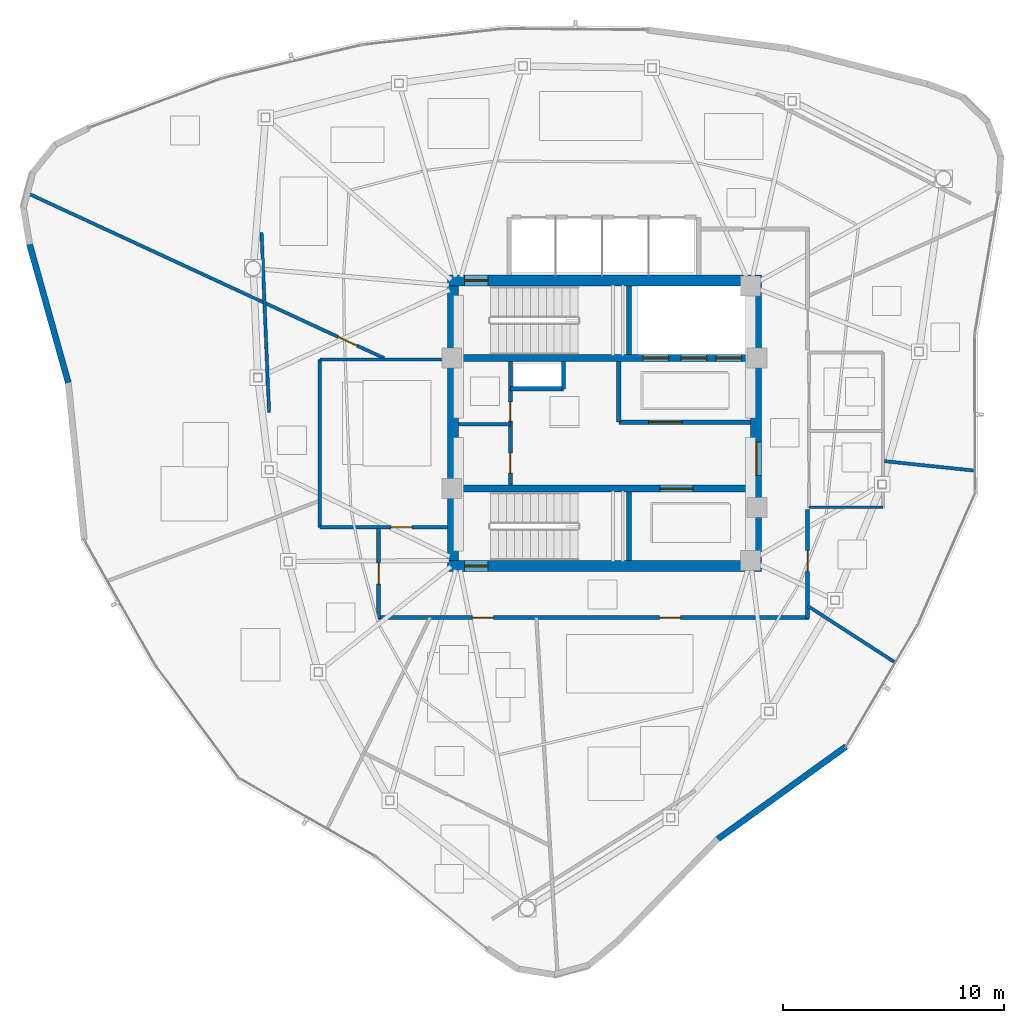
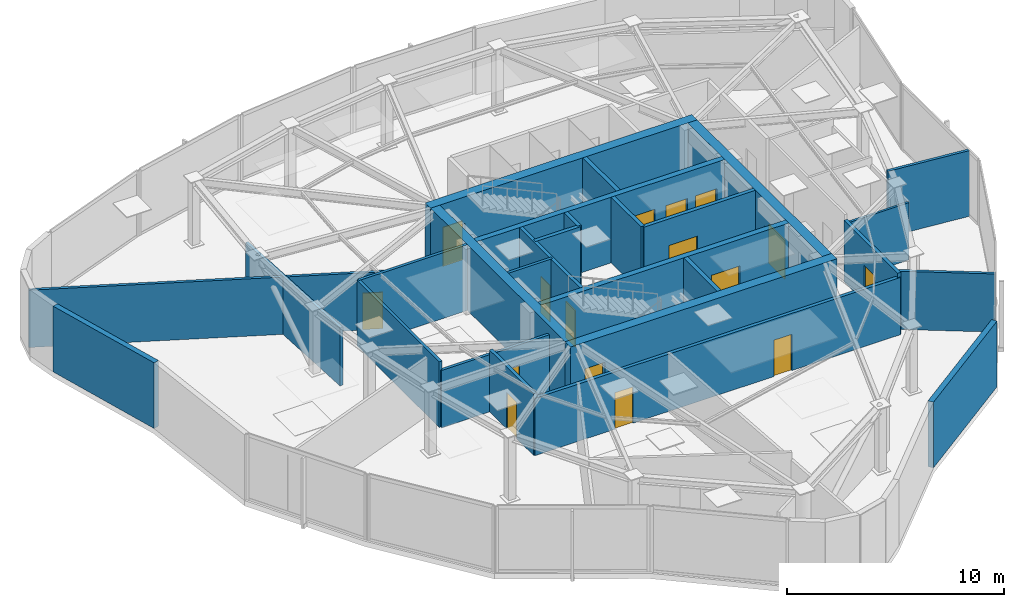
# One storey, part 8 of 11: 27 walls, 16 doors, 16 openings.
"""IFC4 building model written with IfcOpenShell, lengths in metres."""

import ifcopenshell
import ifcopenshell.guid

model = None  # the IFC model being written
_history = None  # IfcOwnerHistory: only IFC2X3 demands one
_inside = {}  # id of a spatial element -> (the spatial element, [elements in it])
_under = {}  # id of a project, library or spatial element -> (it, [spatial elements below it])
_declared = {}  # id of a project -> (the project, [libraries it declares])
_typed = {}  # id of a type object -> (the type object, [elements of that type])
_made_of = {}  # id of a material, layer set ... -> (it, [elements and type objects made of it])


def new_model(schema):
    """Start an empty IFC model of exactly this schema.

    Asked for "IFC4X3", IfcOpenShell would pick the latest addendum, in which some entities
    have other attributes; the version numbers below select the first issue.
    IFC2X3 requires an IfcOwnerHistory on every rooted entity: one is made here for all.
    """
    global model, _history
    if schema == "IFC4X3":
        model = ifcopenshell.file(schema_version=(4, 3, 0, 0))
    else:
        model = ifcopenshell.file(schema=schema)
    _inside.clear()
    _under.clear()
    _declared.clear()
    _typed.clear()
    _made_of.clear()
    _history = None
    if model.schema == "IFC2X3":
        org = make("IfcOrganization", Name="unknown")
        user = make(
            "IfcPersonAndOrganization",
            ThePerson=make("IfcPerson", FamilyName="unknown"),
            TheOrganization=org,
        )
        app = make(
            "IfcApplication",
            ApplicationDeveloper=org,
            Version="unknown",
            ApplicationFullName="unknown",
            ApplicationIdentifier="unknown",
        )
        _history = make(
            "IfcOwnerHistory",
            OwningUser=user,
            OwningApplication=app,
            ChangeAction="ADDED",
            CreationDate=0,
        )
    return model


def make(cls, **values):
    """One entity of the class cls with the attributes given. An attribute that is None is left unset."""
    return model.create_entity(
        cls, **{name: value for name, value in values.items() if value is not None}
    )


def rooted(cls, **values):
    """An entity with a GlobalId (a new one), such as an element, a storey or a relation."""
    return make(cls, GlobalId=ifcopenshell.guid.new(), OwnerHistory=_history, **values)


def si_unit(unit_type, name, prefix=None):
    """IfcSIUnit, for example si_unit("LENGTHUNIT", "METRE", prefix="MILLI")."""
    return make("IfcSIUnit", UnitType=unit_type, Prefix=prefix, Name=name)


def assignment(units):
    """IfcUnitAssignment: the units of a project."""
    return None if units is None else make("IfcUnitAssignment", Units=units)


def point(xyz):
    """IfcCartesianPoint."""
    return None if xyz is None else make("IfcCartesianPoint", Coordinates=xyz)


def direction(xyz):
    """IfcDirection."""
    return None if xyz is None else make("IfcDirection", DirectionRatios=xyz)


def frame(location, z_axis=None, x_axis=None):
    """IfcAxis2Placement3D, a coordinate frame: its origin and axes. An axis left out is left unset."""
    return make(
        "IfcAxis2Placement3D",
        Location=point(location),
        Axis=direction(z_axis),
        RefDirection=direction(x_axis),
    )


def frame_2d(location, x_axis=None):
    """IfcAxis2Placement2D, a coordinate frame in the plane: its origin and x axis."""
    return make(
        "IfcAxis2Placement2D", Location=point(location), RefDirection=direction(x_axis)
    )


def origin():
    """The frame at (0, 0, 0) with its axes left unset."""
    return frame((0.0, 0.0, 0.0))


def place(relative_to, where):
    """IfcLocalPlacement: puts the frame where relative to a parent placement (None: the world)."""
    return make(
        "IfcLocalPlacement", PlacementRelTo=relative_to, RelativePlacement=where
    )


def context(
    kind, dimensions, precision=None, world=None, true_north=None, identifier=None
):
    """IfcGeometricRepresentationContext, for example the 3D "Model" context."""
    return make(
        "IfcGeometricRepresentationContext",
        ContextIdentifier=identifier,
        ContextType=kind,
        CoordinateSpaceDimension=dimensions,
        Precision=precision,
        WorldCoordinateSystem=world,
        TrueNorth=true_north,
    )


def subcontext(parent, identifier, kind, view, scale=None):
    """IfcGeometricRepresentationSubContext, for example "Body" below "Model"."""
    return make(
        "IfcGeometricRepresentationSubContext",
        ContextIdentifier=identifier,
        ContextType=kind,
        ParentContext=parent,
        TargetScale=scale,
        TargetView=view,
    )


def project(units=None, contexts=None):
    """IfcProject with its units and contexts."""
    return rooted(
        "IfcProject",
        Name="project",
        RepresentationContexts=contexts,
        UnitsInContext=assignment(units),
    )


def spatial(cls, under=None, at=None, **own):
    """A site, building, storey or space (cls), placed at a placement, below another one or the project."""
    s = rooted(cls, ObjectPlacement=at, **own)
    if under is not None:
        _under.setdefault(under.id(), (under, []))[1].append(s)
    return s


def profile(cls, at=None, kind="AREA", **sizes):
    """A parametric profile (cls). Its sizes go by their IFC names, for example OverallWidth=200.0."""
    return make(cls, ProfileType=kind, Position=at, **sizes)


def rectangle(**sizes):
    """IfcRectangleProfileDef."""
    return profile("IfcRectangleProfileDef", **sizes)


def extrude(swept, where, along, depth):
    """IfcExtrudedAreaSolid: the profile swept, set in the frame where, extruded along a direction by depth."""
    return make(
        "IfcExtrudedAreaSolid",
        SweptArea=swept,
        Position=where,
        ExtrudedDirection=direction(along),
        Depth=depth,
    )


def shape(context_of_items, identifier, shape_type, items):
    """IfcShapeRepresentation: the items that make up one representation, for example the "Body"."""
    return make(
        "IfcShapeRepresentation",
        ContextOfItems=context_of_items,
        RepresentationIdentifier=identifier,
        RepresentationType=shape_type,
        Items=items,
    )


def material(Name=None, Category=None):
    """IfcMaterial."""
    return make("IfcMaterial", Name=Name, Category=Category)


def layer(
    of_material, thickness, ventilated=None, Name=None, Category=None, Priority=None
):
    """IfcMaterialLayer: one layer of a wall or slab, of a material (None: an air gap)."""
    return make(
        "IfcMaterialLayer",
        Material=of_material,
        LayerThickness=thickness,
        IsVentilated=ventilated,
        Name=Name,
        Category=Category,
        Priority=Priority,
    )


def layer_set(layers, Name=None):
    """IfcMaterialLayerSet."""
    return make("IfcMaterialLayerSet", MaterialLayers=layers, LayerSetName=Name)


def made_of(thing, what):
    """Note that an element or type object is made of a material, layer set ...; save() writes the relation."""
    if what is not None:
        _made_of.setdefault(what.id(), (what, []))[1].append(thing)
    return thing


def type_object(cls, material=None, **own):
    """A type object (cls), such as IfcWallType, which elements share."""
    return made_of(rooted(cls, **own), material)


def element(
    cls,
    number,
    at=None,
    inside=None,
    cuts=None,
    type_object=None,
    material=None,
    context=None,
    identifier="Body",
    shape_type=None,
    held_by="IfcProductDefinitionShape",
    body=None,
    shapes=None,
    **own,
):
    """One element of the class cls, such as IfcWall. Its Tag is "e" and its number.

    at: its placement. inside: the storey or other place that contains it. cuts: it is an
    opening in that element (IfcRelVoidsElement). A single representation is given by context,
    identifier, shape_type and body (its items); several are given by shapes. held_by: the class
    of the entity that holds the representations. save() writes the other relations.
    """
    e = rooted(cls, Tag="e%d" % number, ObjectPlacement=at, **own)
    if body is not None:
        shapes = [shape(context, identifier, shape_type, body)]
    if shapes is not None:
        e.Representation = make(held_by, Representations=shapes)
    if inside is not None:
        _inside.setdefault(inside.id(), (inside, []))[1].append(e)
    if cuts is not None:
        rooted(
            "IfcRelVoidsElement", RelatingBuildingElement=cuts, RelatedOpeningElement=e
        )
    if type_object is not None:
        _typed.setdefault(type_object.id(), (type_object, []))[1].append(e)
    return made_of(e, material)


def fill(opening, filler):
    """IfcRelFillsElement: the door or window that sits in an opening."""
    return rooted(
        "IfcRelFillsElement",
        RelatingOpeningElement=opening,
        RelatedBuildingElement=filler,
    )


def aggregate(whole, parts):
    """IfcRelAggregates: a whole, such as a stair, and the parts it consists of."""
    return rooted("IfcRelAggregates", RelatingObject=whole, RelatedObjects=parts)


def save(model, path):
    """Write the relations noted so far, then the file.

    IfcRelAggregates (storeys below a building ...), IfcRelContainedInSpatialStructure (elements
    in a storey), IfcRelDefinesByType, IfcRelAssociatesMaterial and IfcRelDeclares: one each for
    every whole, place, type object, material and project.
    """
    for whole, parts in _under.values():
        aggregate(whole, parts)
    for where, things in _inside.values():
        rooted(
            "IfcRelContainedInSpatialStructure",
            RelatedElements=things,
            RelatingStructure=where,
        )
    for kind, things in _typed.values():
        rooted("IfcRelDefinesByType", RelatedObjects=things, RelatingType=kind)
    for what, things in _made_of.values():
        rooted("IfcRelAssociatesMaterial", RelatedObjects=things, RelatingMaterial=what)
    for by, libraries in _declared.values():
        rooted("IfcRelDeclares", RelatingContext=by, RelatedDefinitions=libraries)
    model.write(path)


model = new_model("IFC4")

# Units and contexts
model_context = context("Model", 3, precision=1e-05, world=origin(), true_north=direction((0.0, 1.0)))
body_context = subcontext(model_context, "Body", "Model", "MODEL_VIEW")
ifc_project = project(units=[si_unit("LENGTHUNIT", "METRE"), si_unit("AREAUNIT", "SQUARE_METRE"), si_unit("VOLUMEUNIT", "CUBIC_METRE"), si_unit("PLANEANGLEUNIT", "RADIAN"), si_unit("MASSUNIT", "GRAM", prefix="KILO")], contexts=[model_context])

# Site, building, storey
site_placement = place(None, origin())
site = spatial("IfcSite", under=ifc_project, at=site_placement, CompositionType="ELEMENT")
building_placement = place(site_placement, origin())
building = spatial("IfcBuilding", under=site, at=building_placement, Name="Tavelor Broadcast Tower", CompositionType="ELEMENT")
storey_placement = place(building_placement, frame((0.0, 0.0, 309.5)))
storey = spatial("IfcBuildingStorey", under=building, at=storey_placement, Name="L74", CompositionType="ELEMENT", Elevation=309.5)

# Wall, opening, door
ifc_material_1 = material(Name="Concrete C50/60", Category="concrete")
ifc_layer_1 = layer(ifc_material_1, 0.5)
ifc_layer_set_1 = layer_set([ifc_layer_1], Name="Concrete C50/60")
wall_type_1 = type_object("IfcWallType", Name="Core Shear Wall 500 mm", PredefinedType="SHEAR", material=ifc_layer_set_1)
wall_1_placement = place(storey_placement, frame((42.89990234375, 51.449951171875, 0.0), z_axis=(0.0, 0.0, 1.0), x_axis=(1.0, 0.0, 0.0)))
wall_1 = element("IfcWall", 1, at=wall_1_placement, inside=storey, type_object=wall_type_1, Name="L74 Central Core Shear Wall N", PredefinedType="SHEAR", context=body_context, shape_type="SweptSolid", body=[
    extrude(rectangle(XDim=14.2001953125, YDim=0.5, at=frame_2d((7.10009765625, 0.0))), origin(), (0.0, 0.0, 1.0), 3.699951171875),
])
opening_1_placement = place(wall_1_placement, frame((0.780029296875, 0.0, 0.0)))
opening_1 = element("IfcOpeningElement", 2, at=opening_1_placement, cuts=wall_1, Name="Opening DR11", PredefinedType="OPENING", context=body_context, shape_type="SweptSolid", body=[
    extrude(rectangle(XDim=1.050048828125, YDim=2.199951171875, at=frame_2d((0.52490234375, 1.10009765625))), frame((0.0, 0.260009765625, 0.0), z_axis=(0.0, -1.0, 0.0), x_axis=(1.0, 0.0, 0.0)), (0.0, 0.0, 1.0), 0.52001953125),
])
ifc_material_2 = material(Name="Steel S355", Category="steel")
door_type_1 = type_object("IfcDoorType", Name="Stair Core Fire Escape Door 1050x2200", OperationType="NOTDEFINED", PredefinedType="DOOR", material=ifc_material_2)
door_1_placement = place(opening_1_placement, origin())
door_1 = element("IfcDoor", 3, at=door_1_placement, inside=storey, type_object=door_type_1, Name="L74 Stair ST1 Protected Exit Door", OperationType="SINGLE_SWING_LEFT", OverallHeight=2.199951171875, OverallWidth=1.050048828125, PredefinedType="DOOR", context=body_context, shape_type="SweptSolid", body=[
    extrude(rectangle(XDim=1.050048828125, YDim=2.199951171875, at=frame_2d((0.52490234375, 1.10009765625))), frame((0.0, 0.02490234375, 0.0), z_axis=(0.0, -1.0, 0.0), x_axis=(1.0, 0.0, 0.0)), (0.0, 0.0, 1.0), 0.050048828125),
])
fill(opening_1, door_1)

wall_2_placement = place(storey_placement, frame((42.89990234375, 38.550048828125, 0.0), z_axis=(0.0, 0.0, 1.0), x_axis=(1.0, 0.0, 0.0)))
wall_2 = element("IfcWall", 4, at=wall_2_placement, inside=storey, type_object=wall_type_1, Name="L74 Central Core Shear Wall S", PredefinedType="SHEAR", context=body_context, shape_type="SweptSolid", body=[
    extrude(rectangle(XDim=14.2001953125, YDim=0.5, at=frame_2d((7.10009765625, 0.0))), origin(), (0.0, 0.0, 1.0), 3.699951171875),
])
opening_2_placement = place(wall_2_placement, frame((0.780029296875, 0.0, 0.0)))
opening_2 = element("IfcOpeningElement", 5, at=opening_2_placement, cuts=wall_2, Name="Opening DR11", PredefinedType="OPENING", context=body_context, shape_type="SweptSolid", body=[
    extrude(rectangle(XDim=1.050048828125, YDim=2.199951171875, at=frame_2d((0.52490234375, 1.10009765625))), frame((0.0, 0.260009765625, 0.0), z_axis=(0.0, -1.0, 0.0), x_axis=(1.0, 0.0, 0.0)), (0.0, 0.0, 1.0), 0.52001953125),
])
door_2_placement = place(opening_2_placement, origin())
door_2 = element("IfcDoor", 6, at=door_2_placement, inside=storey, type_object=door_type_1, Name="L74 Stair ST2 Protected Exit Door", OperationType="SINGLE_SWING_RIGHT", OverallHeight=2.199951171875, OverallWidth=1.050048828125, PredefinedType="DOOR", context=body_context, shape_type="SweptSolid", body=[
    extrude(rectangle(XDim=1.050048828125, YDim=2.199951171875, at=frame_2d((0.52490234375, 1.10009765625))), frame((0.0, 0.02490234375, 0.0), z_axis=(0.0, -1.0, 0.0), x_axis=(1.0, 0.0, 0.0)), (0.0, 0.0, 1.0), 0.050048828125),
])
fill(opening_2, door_2)

# Wall
wall_3_placement = place(storey_placement, frame((43.14990234375, 38.800048828125, 0.0), z_axis=(0.0, 0.0, 1.0), x_axis=(0.0, 1.0, 0.0)))
element("IfcWall", 7, at=wall_3_placement, inside=storey, type_object=wall_type_1, Name="L74 Central Core Shear Wall W", PredefinedType="SHEAR", context=body_context, shape_type="SweptSolid", body=[
    extrude(rectangle(XDim=12.39990234375, YDim=0.5, at=frame_2d((6.199951171875, 0.0))), origin(), (0.0, 0.0, 1.0), 3.699951171875),
])

# Wall, opening, door
wall_4_placement = place(storey_placement, frame((56.85009765625, 38.800048828125, 0.0), z_axis=(0.0, 0.0, 1.0), x_axis=(0.0, 1.0, 0.0)))
wall_4 = element("IfcWall", 8, at=wall_4_placement, inside=storey, type_object=wall_type_1, Name="L74 Central Core Shear Wall E", PredefinedType="SHEAR", context=body_context, shape_type="SweptSolid", body=[
    extrude(rectangle(XDim=12.39990234375, YDim=0.5, at=frame_2d((6.199951171875, 0.0))), origin(), (0.0, 0.0, 1.0), 3.699951171875),
])
opening_3_placement = place(wall_4_placement, frame((3.85009765625, 0.0, 0.0)))
opening_3 = element("IfcOpeningElement", 9, at=opening_3_placement, cuts=wall_4, Name="Opening DR14", PredefinedType="OPENING", context=body_context, shape_type="SweptSolid", body=[
    extrude(rectangle(XDim=1.5, YDim=2.199951171875, at=frame_2d((0.75, 1.10009765625))), frame((0.0, 0.260009765625, 0.0), z_axis=(0.0, -1.0, 0.0), x_axis=(1.0, 0.0, 0.0)), (0.0, 0.0, 1.0), 0.52001953125),
])
door_type_2 = type_object("IfcDoorType", Name="Firefighting Lobby Double Fire Door 1500x2200", OperationType="NOTDEFINED", PredefinedType="DOOR", material=ifc_material_2)
door_3_placement = place(opening_3_placement, origin())
door_3 = element("IfcDoor", 10, at=door_3_placement, inside=storey, type_object=door_type_2, Name="L74 Central Core Lobby Fire Door", OperationType="SINGLE_SWING_RIGHT", OverallHeight=2.199951171875, OverallWidth=1.5, PredefinedType="DOOR", context=body_context, shape_type="SweptSolid", body=[
    extrude(rectangle(XDim=1.5, YDim=2.199951171875, at=frame_2d((0.75, 1.10009765625))), frame((0.0, 0.02490234375, 0.0), z_axis=(0.0, -1.0, 0.0), x_axis=(1.0, 0.0, 0.0)), (0.0, 0.0, 1.0), 0.050048828125),
])
fill(opening_3, door_3)

# Wall, openings, doors
ifc_layer_2 = layer(ifc_material_1, 0.300048828125)
ifc_layer_set_2 = layer_set([ifc_layer_2], Name="Concrete C50/60")
wall_type_2 = type_object("IfcWallType", Name="Core Spine Shear Wall 300 mm C50", PredefinedType="SHEAR", material=ifc_layer_set_2)
wall_5_placement = place(storey_placement, frame((43.39990234375, 47.949951171875, 0.0), z_axis=(0.0, 0.0, 1.0), x_axis=(1.0, 0.0, 0.0)))
wall_5 = element("IfcWall", 11, at=wall_5_placement, inside=storey, type_object=wall_type_2, Name="L74 Central Core Shear Wall SP1", PredefinedType="SHEAR", context=body_context, shape_type="SweptSolid", body=[
    extrude(rectangle(XDim=13.2001953125, YDim=0.300048828125, at=frame_2d((6.60009765625, 0.0))), origin(), (0.0, 0.0, 1.0), 3.699951171875),
])
opening_4_placement = place(wall_5_placement, frame((8.344970703125, 0.0, 0.0)))
opening_4 = element("IfcOpeningElement", 12, at=opening_4_placement, cuts=wall_5, Name="Opening LD02", PredefinedType="OPENING", context=body_context, shape_type="SweptSolid", body=[
    extrude(rectangle(XDim=1.14990234375, YDim=2.199951171875, at=frame_2d((0.574951171875, 1.10009765625))), frame((0.0, 0.16015625, 0.0), z_axis=(0.0, -1.0, 0.0), x_axis=(1.0, 0.0, 0.0)), (0.0, 0.0, 1.0), 0.320068359375),
])
opening_5_placement = place(wall_5_placement, frame((10.06494140625, 0.0, 0.0)))
opening_5 = element("IfcOpeningElement", 13, at=opening_5_placement, cuts=wall_5, Name="Opening LD02", PredefinedType="OPENING", context=body_context, shape_type="SweptSolid", body=[
    extrude(rectangle(XDim=1.14990234375, YDim=2.199951171875, at=frame_2d((0.574951171875, 1.10009765625))), frame((0.0, 0.16015625, 0.0), z_axis=(0.0, -1.0, 0.0), x_axis=(1.0, 0.0, 0.0)), (0.0, 0.0, 1.0), 0.320068359375),
])
opening_6_placement = place(wall_5_placement, frame((11.64501953125, 0.0, 0.0)))
opening_6 = element("IfcOpeningElement", 14, at=opening_6_placement, cuts=wall_5, Name="Opening LD03", PredefinedType="OPENING", context=body_context, shape_type="SweptSolid", body=[
    extrude(rectangle(XDim=1.14990234375, YDim=2.199951171875, at=frame_2d((0.574951171875, 1.10009765625))), frame((0.0, 0.16015625, 0.0), z_axis=(0.0, -1.0, 0.0), x_axis=(1.0, 0.0, 0.0)), (0.0, 0.0, 1.0), 0.320068359375),
])
ifc_material_3 = material(Name="Reinforced Brushed Stainless Steel", Category="concrete")
door_type_3 = type_object("IfcDoorType", Name="Broadcast Goods Lift Sliding Landing Door 1250x2200", OperationType="NOTDEFINED", PredefinedType="DOOR", material=ifc_material_3)
door_4_placement = place(opening_6_placement, origin())
door_4 = element("IfcDoor", 15, at=door_4_placement, inside=storey, type_object=door_type_3, Name="L74 Lift SVL1 Sliding Landing Door", OperationType="SLIDING_TO_LEFT", OverallHeight=2.199951171875, OverallWidth=1.14990234375, PredefinedType="DOOR", context=body_context, shape_type="SweptSolid", body=[
    extrude(rectangle(XDim=1.14990234375, YDim=2.199951171875, at=frame_2d((0.574951171875, 1.10009765625))), frame((0.0, 0.02490234375, 0.0), z_axis=(0.0, -1.0, 0.0), x_axis=(1.0, 0.0, 0.0)), (0.0, 0.0, 1.0), 0.050048828125),
])
fill(opening_6, door_4)
ifc_material_4 = material(Name="Fire-Rated Stainless Steel", Category="steel")
door_type_4 = type_object("IfcDoorType", Name="Firefighting Lift Sliding Landing Door 1200x2200", OperationType="NOTDEFINED", PredefinedType="DOOR", material=ifc_material_4)
door_5_placement = place(opening_4_placement, origin())
door_5 = element("IfcDoor", 16, at=door_5_placement, inside=storey, type_object=door_type_4, Name="L74 Lift FFL1 Sliding Landing Door", OperationType="SLIDING_TO_LEFT", OverallHeight=2.199951171875, OverallWidth=1.14990234375, PredefinedType="DOOR", context=body_context, shape_type="SweptSolid", body=[
    extrude(rectangle(XDim=1.14990234375, YDim=2.199951171875, at=frame_2d((0.574951171875, 1.10009765625))), frame((0.0, 0.02490234375, 0.0), z_axis=(0.0, -1.0, 0.0), x_axis=(1.0, 0.0, 0.0)), (0.0, 0.0, 1.0), 0.050048828125),
])
fill(opening_4, door_5)
door_6_placement = place(opening_5_placement, origin())
door_6 = element("IfcDoor", 17, at=door_6_placement, inside=storey, type_object=door_type_4, Name="L74 Lift FFL2 Sliding Landing Door", OperationType="SLIDING_TO_LEFT", OverallHeight=2.199951171875, OverallWidth=1.14990234375, PredefinedType="DOOR", context=body_context, shape_type="SweptSolid", body=[
    extrude(rectangle(XDim=1.14990234375, YDim=2.199951171875, at=frame_2d((0.574951171875, 1.10009765625))), frame((0.0, 0.02490234375, 0.0), z_axis=(0.0, -1.0, 0.0), x_axis=(1.0, 0.0, 0.0)), (0.0, 0.0, 1.0), 0.050048828125),
])
fill(opening_5, door_6)

# Wall, opening, door
wall_6_placement = place(storey_placement, frame((43.39990234375, 42.050048828125, 0.0), z_axis=(0.0, 0.0, 1.0), x_axis=(1.0, 0.0, 0.0)))
wall_6 = element("IfcWall", 18, at=wall_6_placement, inside=storey, type_object=wall_type_2, Name="L74 Central Core Shear Wall SP2", PredefinedType="SHEAR", context=body_context, shape_type="SweptSolid", body=[
    extrude(rectangle(XDim=13.2001953125, YDim=0.300048828125, at=frame_2d((6.60009765625, 0.0))), origin(), (0.0, 0.0, 1.0), 3.699951171875),
])
opening_7_placement = place(wall_6_placement, frame((9.10009765625, 0.0, 0.0)))
opening_7 = element("IfcOpeningElement", 19, at=opening_7_placement, cuts=wall_6, Name="Opening DR14", PredefinedType="OPENING", context=body_context, shape_type="SweptSolid", body=[
    extrude(rectangle(XDim=1.5, YDim=2.199951171875, at=frame_2d((0.75, 1.10009765625))), frame((0.0, 0.16015625, 0.0), z_axis=(0.0, -1.0, 0.0), x_axis=(1.0, 0.0, 0.0)), (0.0, 0.0, 1.0), 0.320068359375),
])
door_7_placement = place(opening_7_placement, origin())
door_7 = element("IfcDoor", 20, at=door_7_placement, inside=storey, type_object=door_type_2, Name="L74 Reclaimed South Core Vestibule Door", OperationType="SINGLE_SWING_RIGHT", OverallHeight=2.199951171875, OverallWidth=1.5, PredefinedType="DOOR", context=body_context, shape_type="SweptSolid", body=[
    extrude(rectangle(XDim=1.5, YDim=2.199951171875, at=frame_2d((0.75, 1.10009765625))), frame((0.0, 0.02490234375, 0.0), z_axis=(0.0, -1.0, 0.0), x_axis=(1.0, 0.0, 0.0)), (0.0, 0.0, 1.0), 0.050048828125),
])
fill(opening_7, door_7)

# Wall, openings, doors
ifc_material_5 = material(Name="Calcium Silicate Fire Board 180 mm", Category="gypsum")
ifc_layer_3 = layer(ifc_material_5, 0.179931640625)
ifc_layer_set_3 = layer_set([ifc_layer_3], Name="Calcium Silicate Fire Board 180 mm")
wall_type_3 = type_object("IfcWallType", Name="Fire-Rated Corridor Partition Wall 180 mm", PredefinedType="PARTITIONING", material=ifc_layer_set_3)
wall_7_placement = place(storey_placement, frame((45.75, 42.199951171875, 0.0), z_axis=(0.0, 0.0, 1.0), x_axis=(0.0, 1.0, 0.0)))
wall_7 = element("IfcWall", 21, at=wall_7_placement, inside=storey, type_object=wall_type_3, Name="L74 Core West Service East Wall", PredefinedType="PARTITIONING", context=body_context, shape_type="SweptSolid", body=[
    extrude(rectangle(XDim=5.60009765625, YDim=0.179931640625, at=frame_2d((2.800048828125, 0.0))), origin(), (0.0, 0.0, 1.0), 3.699951171875),
])
opening_8_placement = place(wall_7_placement, frame((0.550048828125, 0.0, 0.0)))
opening_8 = element("IfcOpeningElement", 22, at=opening_8_placement, cuts=wall_7, Name="Opening DR32", PredefinedType="OPENING", context=body_context, shape_type="SweptSolid", body=[
    extrude(rectangle(XDim=0.89990234375, YDim=2.050048828125, at=frame_2d((0.449951171875, 1.02490234375))), frame((0.0, 0.10009765625, 0.0), z_axis=(0.0, -1.0, 0.0), x_axis=(1.0, 0.0, 0.0)), (0.0, 0.0, 1.0), 0.199951171875),
])
opening_9_placement = place(wall_7_placement, frame((2.89990234375, 0.0, 0.0)))
opening_9 = element("IfcOpeningElement", 23, at=opening_9_placement, cuts=wall_7, Name="Opening DR36", PredefinedType="OPENING", context=body_context, shape_type="SweptSolid", body=[
    extrude(rectangle(XDim=0.85009765625, YDim=2.050048828125, at=frame_2d((0.425048828125, 1.02490234375))), frame((0.0, 0.10009765625, 0.0), z_axis=(0.0, -1.0, 0.0), x_axis=(1.0, 0.0, 0.0)), (0.0, 0.0, 1.0), 0.199951171875),
])
ifc_material_6 = material(Name="Timber Solid Core Hardwood", Category="wood")
door_type_5 = type_object("IfcDoorType", Name="Accessible Washroom Door 900x2050", OperationType="NOTDEFINED", PredefinedType="DOOR", material=ifc_material_6)
door_8_placement = place(opening_8_placement, origin())
door_8 = element("IfcDoor", 24, at=door_8_placement, inside=storey, type_object=door_type_5, Name="L74 Core Accessible WC Door", OperationType="SINGLE_SWING_LEFT", OverallHeight=2.050048828125, OverallWidth=0.89990234375, PredefinedType="DOOR", context=body_context, shape_type="SweptSolid", body=[
    extrude(rectangle(XDim=0.89990234375, YDim=2.050048828125, at=frame_2d((0.449951171875, 1.02490234375))), frame((0.0, 0.02490234375, 0.0), z_axis=(0.0, -1.0, 0.0), x_axis=(1.0, 0.0, 0.0)), (0.0, 0.0, 1.0), 0.050048828125),
])
fill(opening_8, door_8)
door_type_6 = type_object("IfcDoorType", Name="Service Room Fire Door 850x2050", OperationType="NOTDEFINED", PredefinedType="DOOR", material=ifc_material_2)
door_9_placement = place(opening_9_placement, origin())
door_9 = element("IfcDoor", 25, at=door_9_placement, inside=storey, type_object=door_type_6, Name="L74 Core Cleaner Store Door", OperationType="SINGLE_SWING_RIGHT", OverallHeight=2.050048828125, OverallWidth=0.85009765625, PredefinedType="DOOR", context=body_context, shape_type="SweptSolid", body=[
    extrude(rectangle(XDim=0.85009765625, YDim=2.050048828125, at=frame_2d((0.425048828125, 1.02490234375))), frame((0.0, 0.02490234375, 0.0), z_axis=(0.0, -1.0, 0.0), x_axis=(1.0, 0.0, 0.0)), (0.0, 0.0, 1.0), 0.050048828125),
])
fill(opening_9, door_9)

# Wall, opening, door
wall_8_placement = place(storey_placement, frame((59.179931640625, 41.10009765625, 0.0), z_axis=(0.0, 0.0, 1.0), x_axis=(0.0, -1.0, 0.0)))
wall_8 = element("IfcWall", 26, at=wall_8_placement, inside=storey, type_object=wall_type_3, Name="L74 Corridor Compartment Wall 03", PredefinedType="PARTITIONING", context=body_context, shape_type="SweptSolid", body=[
    extrude(rectangle(XDim=4.93017578125, YDim=0.179931640625, at=frame_2d((2.465087890625, 0.0))), origin(), (0.0, 0.0, 1.0), 3.47509765625),
])
opening_10_placement = place(wall_8_placement, frame((1.8486328125, 0.0, 0.0)))
opening_10 = element("IfcOpeningElement", 27, at=opening_10_placement, cuts=wall_8, Name="Opening DR18", PredefinedType="OPENING", context=body_context, shape_type="SweptSolid", body=[
    extrude(rectangle(XDim=0.949951171875, YDim=2.050048828125, at=frame_2d((0.47509765625, 1.02490234375))), frame((0.0, 0.10009765625, 0.0), z_axis=(0.0, -1.0, 0.0), x_axis=(1.0, 0.0, 0.0)), (0.0, 0.0, 1.0), 0.199951171875),
])
door_type_7 = type_object("IfcDoorType", Name="Corridor Rated Compartment Door 950x2050", OperationType="NOTDEFINED", PredefinedType="DOOR", material=ifc_material_6)
door_10_placement = place(opening_10_placement, origin())
door_10 = element("IfcDoor", 28, at=door_10_placement, inside=storey, type_object=door_type_7, Name="L74 Technical Mail and Post Room Door R1", OperationType="SINGLE_SWING_RIGHT", OverallHeight=2.050048828125, OverallWidth=0.949951171875, PredefinedType="DOOR", context=body_context, shape_type="SweptSolid", body=[
    extrude(rectangle(XDim=0.949951171875, YDim=2.050048828125, at=frame_2d((0.47509765625, 1.02490234375))), frame((0.0, 0.02490234375, 0.0), z_axis=(0.0, -1.0, 0.0), x_axis=(1.0, 0.0, 0.0)), (0.0, 0.0, 1.0), 0.050048828125),
])
fill(opening_10, door_10)

# Wall, openings, doors
wall_9_placement = place(storey_placement, frame((59.22998046875, 36.219970703125, 0.0), z_axis=(0.0, 0.0, 1.0), x_axis=(-1.0, 0.0, 0.0)))
wall_9 = element("IfcWall", 29, at=wall_9_placement, inside=storey, type_object=wall_type_3, Name="L74 Corridor Compartment Wall 04", PredefinedType="PARTITIONING", context=body_context, shape_type="SweptSolid", body=[
    extrude(rectangle(XDim=19.47998046875, YDim=0.179931640625, at=frame_2d((9.739990234375, 0.0))), origin(), (0.0, 0.0, 1.0), 3.22509765625),
])
opening_11_placement = place(wall_9_placement, frame((5.793212890625, 0.0, 0.0)))
opening_11 = element("IfcOpeningElement", 30, at=opening_11_placement, cuts=wall_9, Name="Opening DR18", PredefinedType="OPENING", context=body_context, shape_type="SweptSolid", body=[
    extrude(rectangle(XDim=0.949951171875, YDim=2.050048828125, at=frame_2d((0.47509765625, 1.02490234375))), frame((0.0, 0.10009765625, 0.0), z_axis=(0.0, -1.0, 0.0), x_axis=(1.0, 0.0, 0.0)), (0.0, 0.0, 1.0), 0.199951171875),
])
opening_12_placement = place(wall_9_placement, frame((14.252685546875, 0.0, 0.0)))
opening_12 = element("IfcOpeningElement", 31, at=opening_12_placement, cuts=wall_9, Name="Opening DR18", PredefinedType="OPENING", context=body_context, shape_type="SweptSolid", body=[
    extrude(rectangle(XDim=0.949951171875, YDim=2.050048828125, at=frame_2d((0.47509765625, 1.02490234375))), frame((0.0, 0.10009765625, 0.0), z_axis=(0.0, -1.0, 0.0), x_axis=(1.0, 0.0, 0.0)), (0.0, 0.0, 1.0), 0.199951171875),
])
door_11_placement = place(opening_11_placement, origin())
door_11 = element("IfcDoor", 32, at=door_11_placement, inside=storey, type_object=door_type_7, Name="L74 Master Control Room Door R2", OperationType="SINGLE_SWING_LEFT", OverallHeight=2.050048828125, OverallWidth=0.949951171875, PredefinedType="DOOR", context=body_context, shape_type="SweptSolid", body=[
    extrude(rectangle(XDim=0.949951171875, YDim=2.050048828125, at=frame_2d((0.47509765625, 1.02490234375))), frame((0.0, 0.02490234375, 0.0), z_axis=(0.0, -1.0, 0.0), x_axis=(1.0, 0.0, 0.0)), (0.0, 0.0, 1.0), 0.050048828125),
])
fill(opening_11, door_11)
door_12_placement = place(opening_12_placement, origin())
door_12 = element("IfcDoor", 33, at=door_12_placement, inside=storey, type_object=door_type_7, Name="L74 Colour Grading Studio Door R7", OperationType="SINGLE_SWING_RIGHT", OverallHeight=2.050048828125, OverallWidth=0.949951171875, PredefinedType="DOOR", context=body_context, shape_type="SweptSolid", body=[
    extrude(rectangle(XDim=0.949951171875, YDim=2.050048828125, at=frame_2d((0.47509765625, 1.02490234375))), frame((0.0, 0.02490234375, 0.0), z_axis=(0.0, -1.0, 0.0), x_axis=(1.0, 0.0, 0.0)), (0.0, 0.0, 1.0), 0.050048828125),
])
fill(opening_12, door_12)

# Wall, opening, door
wall_10_placement = place(storey_placement, frame((39.800048828125, 36.169921875, 0.0), z_axis=(0.0, 0.0, 1.0), x_axis=(0.0, 1.0, 0.0)))
wall_10 = element("IfcWall", 34, at=wall_10_placement, inside=storey, type_object=wall_type_3, Name="L74 Corridor Compartment Wall 05", PredefinedType="PARTITIONING", context=body_context, shape_type="SweptSolid", body=[
    extrude(rectangle(XDim=4.080078125, YDim=0.179931640625, at=frame_2d((2.0400390625, 0.0))), origin(), (0.0, 0.0, 1.0), 3.47509765625),
])
opening_13_placement = place(wall_10_placement, frame((1.56494140625, 0.0, 0.0)))
opening_13 = element("IfcOpeningElement", 35, at=opening_13_placement, cuts=wall_10, Name="Opening DR18", PredefinedType="OPENING", context=body_context, shape_type="SweptSolid", body=[
    extrude(rectangle(XDim=0.949951171875, YDim=2.050048828125, at=frame_2d((0.47509765625, 1.02490234375))), frame((0.0, 0.10009765625, 0.0), z_axis=(0.0, -1.0, 0.0), x_axis=(1.0, 0.0, 0.0)), (0.0, 0.0, 1.0), 0.199951171875),
])
door_13_placement = place(opening_13_placement, origin())
door_13 = element("IfcDoor", 36, at=door_13_placement, inside=storey, type_object=door_type_7, Name="L74 Producer Interview Room Door R4", OperationType="SINGLE_SWING_LEFT", OverallHeight=2.050048828125, OverallWidth=0.949951171875, PredefinedType="DOOR", context=body_context, shape_type="SweptSolid", body=[
    extrude(rectangle(XDim=0.949951171875, YDim=2.050048828125, at=frame_2d((0.47509765625, 1.02490234375))), frame((0.0, 0.02490234375, 0.0), z_axis=(0.0, -1.0, 0.0), x_axis=(1.0, 0.0, 0.0)), (0.0, 0.0, 1.0), 0.050048828125),
])
fill(opening_13, door_13)

# Walls
ifc_material_7 = material(Name="Precast Concrete C40/50", Category="concrete")
ifc_layer_4 = layer(ifc_material_7, 0.280029296875)
ifc_layer_set_4 = layer_set([ifc_layer_4], Name="Precast Concrete C40/50")
wall_type_4 = type_object("IfcWallType", Name="Insulated Precast Terracotta Facade Wall 280 mm", PredefinedType="STANDARD", material=ifc_layer_set_4)
wall_11_placement = place(storey_placement, frame((24.019775390625, 53.111083984375, 0.0), z_axis=(0.0, 0.0, 1.0), x_axis=(0.269292137554, -0.963058536461, 0.0)))
element("IfcWall", 37, at=wall_11_placement, inside=storey, type_object=wall_type_4, Name="L74 Rounded Corner Structural Cladding Pier 05", PredefinedType="STANDARD", context=body_context, shape_type="SweptSolid", body=[
    extrude(rectangle(XDim=6.514892578125, YDim=0.280029296875, at=frame_2d((3.25732421875, 0.0))), origin(), (0.0, 0.0, 1.0), 3.699951171875),
])
wall_12_placement = place(storey_placement, frame((55.099609375, 26.19970703125, 0.0), z_axis=(0.0, 0.0, 1.0), x_axis=(0.810855275332, 0.585246719313, 0.0)))
element("IfcWall", 38, at=wall_12_placement, inside=storey, type_object=wall_type_4, Name="L74 Rounded Corner Structural Cladding Pier 16", PredefinedType="STANDARD", context=body_context, shape_type="SweptSolid", body=[
    extrude(rectangle(XDim=7.166015625, YDim=0.280029296875, at=frame_2d((3.5830078125, 0.0))), origin(), (0.0, 0.0, 1.0), 3.699951171875),
])
ifc_material_8 = material(Name="Gypsum Acoustic Plasterboard 150 mm", Category="gypsum")
ifc_layer_5 = layer(ifc_material_8, 0.14990234375)
ifc_layer_set_5 = layer_set([ifc_layer_5], Name="Gypsum Acoustic Plasterboard 150 mm")
wall_type_5 = type_object("IfcWallType", Name="Interior Acoustic Partition Wall 150 mm", PredefinedType="PARTITIONING", material=ifc_layer_set_5)
wall_13_placement = place(storey_placement, frame((43.39990234375, 44.949951171875, 0.0), z_axis=(0.0, 0.0, 1.0), x_axis=(1.0, 0.0, 0.0)))
element("IfcWall", 39, at=wall_13_placement, inside=storey, type_object=wall_type_5, Name="L74 Core Split Wall A", PredefinedType="PARTITIONING", context=body_context, shape_type="SweptSolid", body=[
    extrude(rectangle(XDim=2.35009765625, YDim=0.14990234375, at=frame_2d((1.175048828125, 0.0))), origin(), (0.0, 0.0, 1.0), 3.699951171875),
])
wall_14_placement = place(storey_placement, frame((34.50732421875, 53.61279296875, 0.0), z_axis=(0.0, 0.0, 1.0), x_axis=(0.041875090182, -0.999122853718, 0.0)))
element("IfcWall", 40, at=wall_14_placement, inside=storey, type_object=wall_type_5, Name="L74 Corner Tube Brace Furring Wall 1", PredefinedType="PARTITIONING", context=body_context, shape_type="SweptSolid", body=[
    extrude(rectangle(XDim=8.138916015625, YDim=0.14990234375, at=frame_2d((4.0693359375, 0.0))), origin(), (0.0, 0.0, 1.0), 3.27490234375),
])

# Wall, opening, door
wall_15_placement = place(storey_placement, frame((37.139892578125, 40.300048828125, 0.0), z_axis=(0.0, 0.0, 1.0), x_axis=(1.0, 0.0, 0.0)))
wall_15 = element("IfcWall", 41, at=wall_15_placement, inside=storey, type_object=wall_type_5, Name="L74 Reclaimed Shaft Pantry South Wall", PredefinedType="PARTITIONING", context=body_context, shape_type="SweptSolid", body=[
    extrude(rectangle(XDim=5.760009765625, YDim=0.14990234375, at=frame_2d((2.8798828125, 0.0))), origin(), (0.0, 0.0, 1.0), 3.22509765625),
])
opening_14_placement = place(wall_15_placement, frame((3.2099609375, 0.0, 0.0)))
opening_14 = element("IfcOpeningElement", 42, at=opening_14_placement, cuts=wall_15, Name="Opening DR18", PredefinedType="OPENING", context=body_context, shape_type="SweptSolid", body=[
    extrude(rectangle(XDim=0.949951171875, YDim=2.050048828125, at=frame_2d((0.47509765625, 1.02490234375))), frame((0.0, 0.0849609375, 0.0), z_axis=(0.0, -1.0, 0.0), x_axis=(1.0, 0.0, 0.0)), (0.0, 0.0, 1.0), 0.169921875),
])
door_14_placement = place(opening_14_placement, origin())
door_14 = element("IfcDoor", 43, at=door_14_placement, inside=storey, type_object=door_type_7, Name="L74 Broadcast IT Patch and Pantry Door", OperationType="SINGLE_SWING_LEFT", OverallHeight=2.050048828125, OverallWidth=0.949951171875, PredefinedType="DOOR", context=body_context, shape_type="SweptSolid", body=[
    extrude(rectangle(XDim=0.949951171875, YDim=2.050048828125, at=frame_2d((0.47509765625, 1.02490234375))), frame((0.0, 0.02490234375, 0.0), z_axis=(0.0, -1.0, 0.0), x_axis=(1.0, 0.0, 0.0)), (0.0, 0.0, 1.0), 0.050048828125),
])
fill(opening_14, door_14)

# Walls
wall_16_placement = place(storey_placement, frame((37.139892578125, 40.300048828125, 0.0), z_axis=(0.0, 0.0, 1.0), x_axis=(0.0, 1.0, 0.0)))
element("IfcWall", 44, at=wall_16_placement, inside=storey, type_object=wall_type_5, Name="L74 Reclaimed Shaft Pantry West Wall", PredefinedType="PARTITIONING", context=body_context, shape_type="SweptSolid", body=[
    extrude(rectangle(XDim=7.579833984375, YDim=0.14990234375, at=frame_2d((3.7900390625, 0.0))), origin(), (0.0, 0.0, 1.0), 3.699951171875),
])
wall_17_placement = place(storey_placement, frame((37.139892578125, 47.8798828125, 0.0), z_axis=(0.0, 0.0, 1.0), x_axis=(1.0, 0.0, 0.0)))
element("IfcWall", 45, at=wall_17_placement, inside=storey, type_object=wall_type_5, Name="L74 Reclaimed Shaft Pantry North Wall", PredefinedType="PARTITIONING", context=body_context, shape_type="SweptSolid", body=[
    extrude(rectangle(XDim=5.760009765625, YDim=0.14990234375, at=frame_2d((2.8798828125, 0.0))), origin(), (0.0, 0.0, 1.0), 3.699951171875),
])
wall_18_placement = place(storey_placement, frame((59.179931640625, 36.746826171875, 0.0), z_axis=(0.0, 0.0, 1.0), x_axis=(0.84006046877, -0.542492773049, 0.0)))
element("IfcWall", 46, at=wall_18_placement, inside=storey, type_object=wall_type_5, Name="L74 Radial Compartment Wall 03", PredefinedType="PARTITIONING", context=body_context, shape_type="SweptSolid", body=[
    extrude(rectangle(XDim=4.725830078125, YDim=0.14990234375, at=frame_2d((2.36279296875, 0.0))), origin(), (0.0, 0.0, 1.0), 3.27490234375),
])
wall_19_placement = place(storey_placement, frame((62.64990234375, 43.288330078125, 0.0), z_axis=(0.0, 0.0, 1.0), x_axis=(0.99449896567, -0.104746395075, 0.0)))
element("IfcWall", 47, at=wall_19_placement, inside=storey, type_object=wall_type_5, Name="L74 Radial Compartment Wall 04", PredefinedType="PARTITIONING", context=body_context, shape_type="SweptSolid", body=[
    extrude(rectangle(XDim=4.12548828125, YDim=0.14990234375, at=frame_2d((2.062744140625, 0.0))), origin(), (0.0, 0.0, 1.0), 3.699951171875),
])

# Wall, opening, door
wall_20_placement = place(storey_placement, frame((40.04638671875, 47.93994140625, 0.0), z_axis=(0.0, 0.0, 1.0), x_axis=(-0.907540405204, 0.419964775811, 0.0)))
wall_20 = element("IfcWall", 48, at=wall_20_placement, inside=storey, type_object=wall_type_5, Name="L74 Radial Compartment Wall 06", PredefinedType="PARTITIONING", context=body_context, shape_type="SweptSolid", body=[
    extrude(rectangle(XDim=17.773193359375, YDim=0.14990234375, at=frame_2d((8.88671875, 0.0))), origin(), (0.0, 0.0, 1.0), 3.22509765625),
])
opening_15_placement = place(wall_20_placement, frame((1.35009765625, 0.0, 0.0)))
opening_15 = element("IfcOpeningElement", 49, at=opening_15_placement, cuts=wall_20, Name="Opening DR18", PredefinedType="OPENING", context=body_context, shape_type="SweptSolid", body=[
    extrude(rectangle(XDim=0.949951171875, YDim=2.050048828125, at=frame_2d((0.47509765625, 1.02490234375))), frame((0.0, 0.0849609375, 0.0), z_axis=(0.0, -1.0, 0.0), x_axis=(1.0, 0.0, 0.0)), (0.0, 0.0, 1.0), 0.169921875),
])
door_15_placement = place(opening_15_placement, origin())
door_15 = element("IfcDoor", 50, at=door_15_placement, inside=storey, type_object=door_type_7, Name="L74 Suite Connecting Door 5", OperationType="SINGLE_SWING_RIGHT", OverallHeight=2.050048828125, OverallWidth=0.949951171875, PredefinedType="DOOR", context=body_context, shape_type="SweptSolid", body=[
    extrude(rectangle(XDim=0.949951171875, YDim=2.050048828125, at=frame_2d((0.47509765625, 1.02490234375))), frame((0.0, 0.02490234375, 0.0), z_axis=(0.0, -1.0, 0.0), x_axis=(1.0, 0.0, 0.0)), (0.0, 0.0, 1.0), 0.050048828125),
])
fill(opening_15, door_15)

# Walls
ifc_material_9 = material(Name="Concrete Blockwork 200 mm", Category="masonry")
ifc_layer_6 = layer(ifc_material_9, 0.199951171875)
ifc_layer_set_6 = layer_set([ifc_layer_6], Name="Concrete Blockwork 200 mm")
wall_type_6 = type_object("IfcWallType", Name="Lift and Riser Shaft Enclosure Wall 200 mm", PredefinedType="PARTITIONING", material=ifc_layer_set_6)
wall_21_placement = place(storey_placement, frame((45.75, 46.550048828125, 0.0), z_axis=(0.0, 0.0, 1.0), x_axis=(1.0, 0.0, 0.0)))
element("IfcWall", 51, at=wall_21_placement, inside=storey, type_object=wall_type_6, Name="L74 Riser Shaft South Wall", PredefinedType="PARTITIONING", context=body_context, shape_type="SweptSolid", body=[
    extrude(rectangle(XDim=2.39990234375, YDim=0.199951171875, at=frame_2d((1.199951171875, 0.0))), origin(), (0.0, 0.0, 1.0), 3.699951171875),
])
wall_22_placement = place(storey_placement, frame((48.14990234375, 46.550048828125, 0.0), z_axis=(0.0, 0.0, 1.0), x_axis=(0.0, 1.0, 0.0)))
element("IfcWall", 52, at=wall_22_placement, inside=storey, type_object=wall_type_6, Name="L74 Riser Shaft East Wall", PredefinedType="PARTITIONING", context=body_context, shape_type="SweptSolid", body=[
    extrude(rectangle(XDim=1.25, YDim=0.199951171875, at=frame_2d((0.625, 0.0))), origin(), (0.0, 0.0, 1.0), 3.699951171875),
])

# Wall, opening, door
wall_23_placement = place(storey_placement, frame((50.64990234375, 45.050048828125, 0.0), z_axis=(0.0, 0.0, 1.0), x_axis=(1.0, 0.0, 0.0)))
wall_23 = element("IfcWall", 53, at=wall_23_placement, inside=storey, type_object=wall_type_6, Name="L74 Firefighting Lobby South Wall", PredefinedType="PARTITIONING", context=body_context, shape_type="SweptSolid", body=[
    extrude(rectangle(XDim=5.9501953125, YDim=0.199951171875, at=frame_2d((2.97509765625, 0.0))), origin(), (0.0, 0.0, 1.0), 3.699951171875),
])
opening_16_placement = place(wall_23_placement, frame((1.35009765625, 0.0, 0.0)))
opening_16 = element("IfcOpeningElement", 54, at=opening_16_placement, cuts=wall_23, Name="Opening DR14", PredefinedType="OPENING", context=body_context, shape_type="SweptSolid", body=[
    extrude(rectangle(XDim=1.5, YDim=2.199951171875, at=frame_2d((0.75, 1.10009765625))), frame((0.0, 0.10986328125, 0.0), z_axis=(0.0, -1.0, 0.0), x_axis=(1.0, 0.0, 0.0)), (0.0, 0.0, 1.0), 0.219970703125),
])
door_16_placement = place(opening_16_placement, origin())
door_16 = element("IfcDoor", 55, at=door_16_placement, inside=storey, type_object=door_type_2, Name="L74 Firefighting Lobby Compartment Door", OperationType="SINGLE_SWING_LEFT", OverallHeight=2.199951171875, OverallWidth=1.5, PredefinedType="DOOR", context=body_context, shape_type="SweptSolid", body=[
    extrude(rectangle(XDim=1.5, YDim=2.199951171875, at=frame_2d((0.75, 1.10009765625))), frame((0.0, 0.02490234375, 0.0), z_axis=(0.0, -1.0, 0.0), x_axis=(1.0, 0.0, 0.0)), (0.0, 0.0, 1.0), 0.050048828125),
])
fill(opening_16, door_16)

# Walls
wall_24_placement = place(storey_placement, frame((50.64990234375, 45.050048828125, 0.0), z_axis=(0.0, 0.0, 1.0), x_axis=(0.0, 1.0, 0.0)))
element("IfcWall", 56, at=wall_24_placement, inside=storey, type_object=wall_type_6, Name="L74 Firefighting Lobby West Wall", PredefinedType="PARTITIONING", context=body_context, shape_type="SweptSolid", body=[
    extrude(rectangle(XDim=2.75, YDim=0.199951171875, at=frame_2d((1.375, 0.0))), origin(), (0.0, 0.0, 1.0), 3.699951171875),
])
ifc_material_10 = material(Name="Moisture-Resistant Plasterboard 120 mm", Category="gypsum")
ifc_layer_7 = layer(ifc_material_10, 0.1201171875)
ifc_layer_set_7 = layer_set([ifc_layer_7], Name="Moisture-Resistant Plasterboard 120 mm")
wall_type_7 = type_object("IfcWallType", Name="Moisture-Resistant Wet-Room Partition 120 mm", PredefinedType="PARTITIONING", material=ifc_layer_set_7)
wall_25_placement = place(storey_placement, frame((59.239990234375, 41.199951171875, 0.0), z_axis=(0.0, 0.0, 1.0), x_axis=(1.0, 0.0, 0.0)))
element("IfcWall", 57, at=wall_25_placement, inside=storey, type_object=wall_type_7, Name="L74 Floor Washrooms South Wall", PredefinedType="PARTITIONING", context=body_context, shape_type="SweptSolid", body=[
    extrude(rectangle(XDim=3.340087890625, YDim=0.1201171875, at=frame_2d((1.669921875, 0.0))), origin(), (0.0, 0.0, 1.0), 3.22509765625),
])
ifc_material_11 = material(Name="Concrete C40/50", Category="concrete")
ifc_layer_8 = layer(ifc_material_11, 0.219970703125)
ifc_layer_set_8 = layer_set([ifc_layer_8], Name="Concrete C40/50")
wall_type_8 = type_object("IfcWallType", Name="Structural Stairwell Shear Wall 220 mm", PredefinedType="SHEAR", material=ifc_layer_set_8)
for number, where, z_axis, x_axis, name in (
    (58, (51.110107421875, 48.10009765625, 0.0), (0.0, 0.0, 1.0), (0.0, 1.0, 0.0), "L74 Stair ST1 Structural Shaft Wall"),
    (59, (51.110107421875, 38.800048828125, 0.0), (0.0, 0.0, 1.0), (0.0, 1.0, 0.0), "L74 Stair ST2 Structural Shaft Wall"),
):
    element("IfcWall", number, at=place(storey_placement, frame(where, z_axis=z_axis, x_axis=x_axis)), inside=storey, type_object=wall_type_8, Name=name, PredefinedType="SHEAR", context=body_context, shape_type="SweptSolid", body=[
        extrude(rectangle(XDim=3.099853515625, YDim=0.219970703125, at=frame_2d((1.5498046875, 0.0))), origin(), (0.0, 0.0, 1.0), 3.699951171875),
    ])

save(model, "model.ifc")
